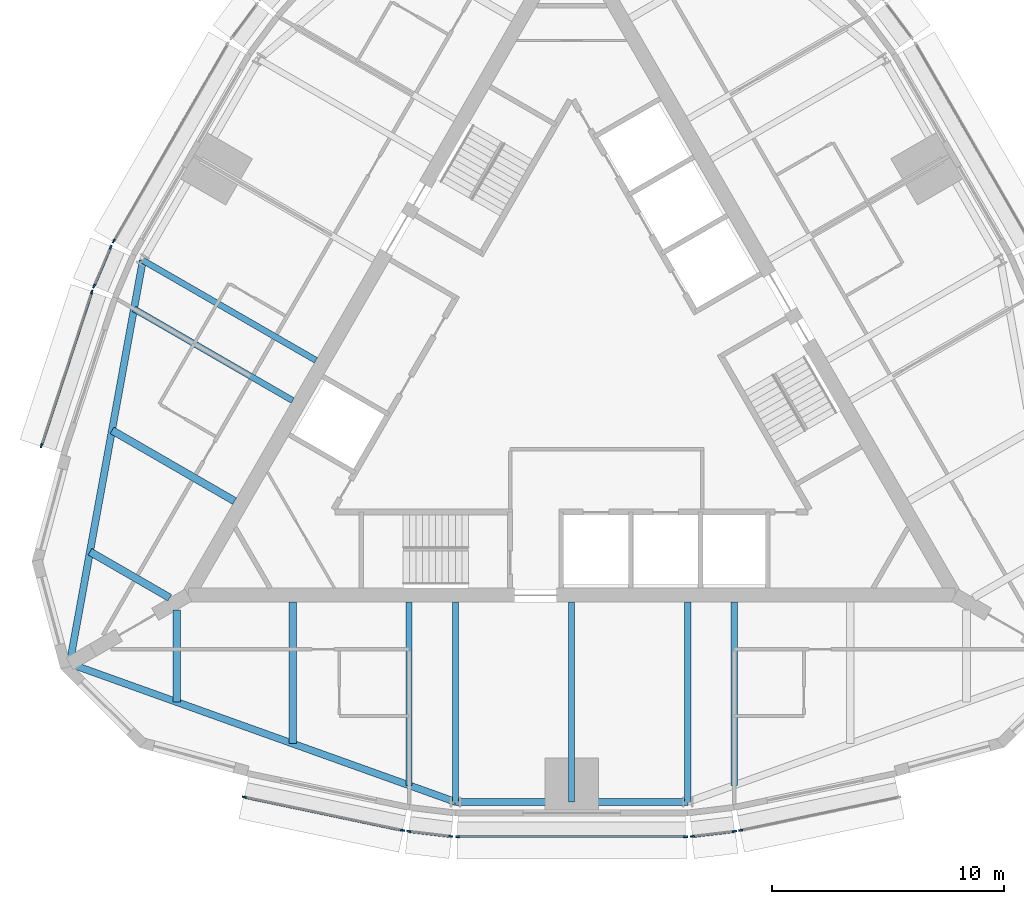
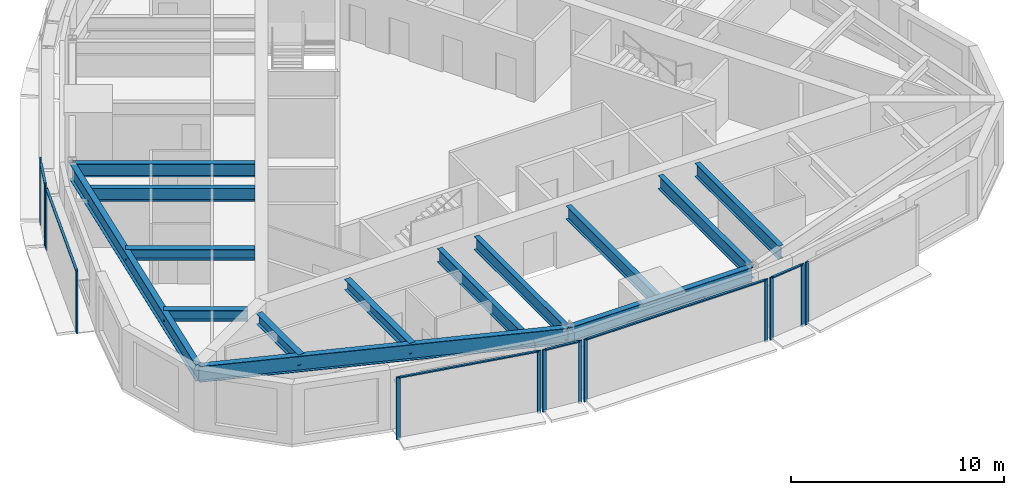
# One storey, part 2 of 12: 20 members, 14 beams, 8 elements without a shape of their own.
"""IFC4 building model written with IfcOpenShell, lengths in metres."""

from ifc_helpers import new_model, si_unit, direction, frame, origin, origin_2d, place, context, subcontext, project, spatial, rectangle, i_section, extrude, material, material_profile, profile_set, type_object, element, aggregate, save


model = new_model("IFC4")

# Units and contexts
model_context = context("Model", 3, precision=1e-05, world=origin(), true_north=direction((0.0, 1.0)))
body_context = subcontext(model_context, "Body", "Model", "MODEL_VIEW")
ifc_project = project(units=[si_unit("LENGTHUNIT", "METRE"), si_unit("AREAUNIT", "SQUARE_METRE"), si_unit("VOLUMEUNIT", "CUBIC_METRE"), si_unit("PLANEANGLEUNIT", "RADIAN"), si_unit("MASSUNIT", "GRAM", prefix="KILO")], contexts=[model_context])

# Site, building, storey
site_placement = place(None, origin())
site = spatial("IfcSite", under=ifc_project, at=site_placement, CompositionType="ELEMENT")
building_placement = place(site_placement, origin())
building = spatial("IfcBuilding", under=site, at=building_placement, Name="Trikona Tower", CompositionType="ELEMENT")
storey_placement = place(building_placement, frame((0.0, 0.0, 257.300048828125)))
storey = spatial("IfcBuildingStorey", under=building, at=storey_placement, Name="L68", CompositionType="ELEMENT", Elevation=257.300048828125)

# Curtain wall, members
ifc_material_1 = material(Name="Aluminium curtain wall system", Category="aluminium")
curtain_wall_type = type_object("IfcCurtainWallType", Name="Curtain wall DS3", PredefinedType="NOTDEFINED", material=ifc_material_1)
curtain_wall_1_placement = place(storey_placement, origin())
curtain_wall_1 = element("IfcCurtainWall", 1, at=curtain_wall_1_placement, inside=storey, type_object=curtain_wall_type, Name="Curtain wall DS3 L68", PredefinedType="NOTDEFINED")
ifc_material_2 = material(Name="Aluminium mullion, pale anodised", Category="aluminium")
ifc_material_profile_1 = material_profile(ifc_material_2, rectangle(XDim=0.070068359375, YDim=0.179931640625, at=origin_2d()), Name="MUL-DS3")
ifc_profile_set_1 = profile_set([ifc_material_profile_1], Name="Aluminium mullion, pale anodised")
member_type_1 = type_object("IfcMemberType", Name="Mullion DS3 70x180", PredefinedType="MULLION", material=ifc_profile_set_1)
member_1_placement = place(storey_placement, frame((-14.092041015625, -18.220703125, 0.0), z_axis=(0.0, 0.0, 1.0), x_axis=(0.205527448396, 0.978651351583, 0.0)))
member_1 = element("IfcMember", 2, at=member_1_placement, type_object=member_type_1, Name="CW-DS3 mullion 1", PredefinedType="MULLION", context=body_context, shape_type="SweptSolid", body=[
    extrude(rectangle(XDim=0.070068359375, YDim=0.179931640625, at=origin_2d()), origin(), (0.0, 0.0, 1.0), 3.599853515625),
])
member_2_placement = place(storey_placement, frame((-7.27783203125, -19.65185546875, 0.0), z_axis=(0.0, 0.0, 1.0), x_axis=(0.205527448396, 0.978651351583, 0.0)))
member_2 = element("IfcMember", 3, at=member_2_placement, type_object=member_type_1, Name="CW-DS3 mullion 2", PredefinedType="MULLION", context=body_context, shape_type="SweptSolid", body=[
    extrude(rectangle(XDim=0.070068359375, YDim=0.179931640625, at=origin_2d()), origin(), (0.0, 0.0, 1.0), 3.599853515625),
])

curtain_wall_2_placement = place(storey_placement, origin())
curtain_wall_2 = element("IfcCurtainWall", 4, at=curtain_wall_2_placement, inside=storey, type_object=curtain_wall_type, Name="Curtain wall DS3 L68", PredefinedType="NOTDEFINED")
member_3_placement = place(storey_placement, frame((-7.012939453125, -19.6953125, 0.0), z_axis=(0.0, 0.0, 1.0), x_axis=(0.119141057581, 0.992877338043, 0.0)))
member_3 = element("IfcMember", 5, at=member_3_placement, type_object=member_type_1, Name="CW-DS3 mullion 1", PredefinedType="MULLION", context=body_context, shape_type="SweptSolid", body=[
    extrude(rectangle(XDim=0.070068359375, YDim=0.179931640625, at=origin_2d()), origin(), (0.0, 0.0, 1.0), 3.599853515625),
])
member_4_placement = place(storey_placement, frame((-5.20166015625, -19.912841796875, 0.0), z_axis=(0.0, 0.0, 1.0), x_axis=(0.119141057581, 0.992877338043, 0.0)))
member_4 = element("IfcMember", 6, at=member_4_placement, type_object=member_type_1, Name="CW-DS3 mullion 2", PredefinedType="MULLION", context=body_context, shape_type="SweptSolid", body=[
    extrude(rectangle(XDim=0.070068359375, YDim=0.179931640625, at=origin_2d()), origin(), (0.0, 0.0, 1.0), 3.599853515625),
])

curtain_wall_3_placement = place(storey_placement, origin())
curtain_wall_3 = element("IfcCurtainWall", 7, at=curtain_wall_3_placement, inside=storey, type_object=curtain_wall_type, Name="Curtain wall DS3 L68", PredefinedType="NOTDEFINED")
member_5_placement = place(storey_placement, frame((-4.905029296875, -19.930419921875, 0.0), z_axis=(0.0, 0.0, 1.0), x_axis=(0.0, 1.0, 0.0)))
member_5 = element("IfcMember", 8, at=member_5_placement, type_object=member_type_1, Name="CW-DS3 mullion 1", PredefinedType="MULLION", context=body_context, shape_type="SweptSolid", body=[
    extrude(rectangle(XDim=0.070068359375, YDim=0.179931640625, at=origin_2d()), origin(), (0.0, 0.0, 1.0), 3.599853515625),
])
member_6_placement = place(storey_placement, frame((4.905029296875, -19.930419921875, 0.0), z_axis=(0.0, 0.0, 1.0), x_axis=(0.0, 1.0, 0.0)))
member_6 = element("IfcMember", 9, at=member_6_placement, type_object=member_type_1, Name="CW-DS3 mullion 2", PredefinedType="MULLION", context=body_context, shape_type="SweptSolid", body=[
    extrude(rectangle(XDim=0.070068359375, YDim=0.179931640625, at=origin_2d()), origin(), (0.0, 0.0, 1.0), 3.599853515625),
])

curtain_wall_4_placement = place(storey_placement, origin())
curtain_wall_4 = element("IfcCurtainWall", 10, at=curtain_wall_4_placement, inside=storey, type_object=curtain_wall_type, Name="Curtain wall DS3 L68", PredefinedType="NOTDEFINED")
member_7_placement = place(storey_placement, frame((5.20166015625, -19.912841796875, 0.0), z_axis=(0.0, 0.0, 1.0), x_axis=(-0.119141057581, 0.992877338043, 0.0)))
member_7 = element("IfcMember", 11, at=member_7_placement, type_object=member_type_1, Name="CW-DS3 mullion 1", PredefinedType="MULLION", context=body_context, shape_type="SweptSolid", body=[
    extrude(rectangle(XDim=0.070068359375, YDim=0.179931640625, at=origin_2d()), origin(), (0.0, 0.0, 1.0), 3.599853515625),
])
member_8_placement = place(storey_placement, frame((7.012939453125, -19.6953125, 0.0), z_axis=(0.0, 0.0, 1.0), x_axis=(-0.119141057581, 0.992877338043, 0.0)))
member_8 = element("IfcMember", 12, at=member_8_placement, type_object=member_type_1, Name="CW-DS3 mullion 2", PredefinedType="MULLION", context=body_context, shape_type="SweptSolid", body=[
    extrude(rectangle(XDim=0.070068359375, YDim=0.179931640625, at=origin_2d()), origin(), (0.0, 0.0, 1.0), 3.599853515625),
])

# Curtain wall, member
curtain_wall_5_placement = place(storey_placement, origin())
curtain_wall_5 = element("IfcCurtainWall", 13, at=curtain_wall_5_placement, inside=storey, type_object=curtain_wall_type, Name="Curtain wall DS3 L68", PredefinedType="NOTDEFINED")
member_9_placement = place(storey_placement, frame((7.27783203125, -19.65185546875, 0.0), z_axis=(0.0, 0.0, 1.0), x_axis=(-0.205527448396, 0.978651351583, 0.0)))
member_9 = element("IfcMember", 14, at=member_9_placement, type_object=member_type_1, Name="CW-DS3 mullion 1", PredefinedType="MULLION", context=body_context, shape_type="SweptSolid", body=[
    extrude(rectangle(XDim=0.070068359375, YDim=0.179931640625, at=origin_2d()), origin(), (0.0, 0.0, 1.0), 3.599853515625),
])
aggregate(curtain_wall_5, [member_9])

curtain_wall_6_placement = place(storey_placement, origin())
curtain_wall_6 = element("IfcCurtainWall", 15, at=curtain_wall_6_placement, inside=storey, type_object=curtain_wall_type, Name="Curtain wall DS3 L68", PredefinedType="NOTDEFINED")
member_10_placement = place(storey_placement, frame((-19.712890625, 5.717529296875, 0.0), z_axis=(0.0, 0.0, 1.0), x_axis=(0.866024619633, -0.500001358187, 0.0)))
member_10 = element("IfcMember", 16, at=member_10_placement, type_object=member_type_1, Name="CW-DS3 mullion 2", PredefinedType="MULLION", context=body_context, shape_type="SweptSolid", body=[
    extrude(rectangle(XDim=0.070068359375, YDim=0.179931640625, at=origin_2d()), origin(), (0.0, 0.0, 1.0), 3.599853515625),
])
aggregate(curtain_wall_6, [member_10])

# Curtain wall, members
curtain_wall_7_placement = place(storey_placement, origin())
curtain_wall_7 = element("IfcCurtainWall", 17, at=curtain_wall_7_placement, inside=storey, type_object=curtain_wall_type, Name="Curtain wall DS3 L68", PredefinedType="NOTDEFINED")
member_11_placement = place(storey_placement, frame((-19.845703125, 5.45166015625, 0.0), z_axis=(0.0, 0.0, 1.0), x_axis=(0.919420580163, -0.393275726143, 0.0)))
member_11 = element("IfcMember", 18, at=member_11_placement, type_object=member_type_1, Name="CW-DS3 mullion 1", PredefinedType="MULLION", context=body_context, shape_type="SweptSolid", body=[
    extrude(rectangle(XDim=0.070068359375, YDim=0.179931640625, at=origin_2d()), origin(), (0.0, 0.0, 1.0), 3.599853515625),
])
member_12_placement = place(storey_placement, frame((-20.563232421875, 3.7744140625, 0.0), z_axis=(0.0, 0.0, 1.0), x_axis=(0.919420580163, -0.393275726143, 0.0)))
member_12 = element("IfcMember", 19, at=member_12_placement, type_object=member_type_1, Name="CW-DS3 mullion 2", PredefinedType="MULLION", context=body_context, shape_type="SweptSolid", body=[
    extrude(rectangle(XDim=0.070068359375, YDim=0.179931640625, at=origin_2d()), origin(), (0.0, 0.0, 1.0), 3.599853515625),
])

curtain_wall_8_placement = place(storey_placement, origin())
curtain_wall_8 = element("IfcCurtainWall", 20, at=curtain_wall_8_placement, inside=storey, type_object=curtain_wall_type, Name="Curtain wall DS3 L68", PredefinedType="NOTDEFINED")
member_13_placement = place(storey_placement, frame((-20.657958984375, 3.52294921875, 0.0), z_axis=(0.0, 0.0, 1.0), x_axis=(0.95029742275, -0.311343553515, 0.0)))
member_13 = element("IfcMember", 21, at=member_13_placement, type_object=member_type_1, Name="CW-DS3 mullion 1", PredefinedType="MULLION", context=body_context, shape_type="SweptSolid", body=[
    extrude(rectangle(XDim=0.070068359375, YDim=0.179931640625, at=origin_2d()), origin(), (0.0, 0.0, 1.0), 3.599853515625),
])
member_14_placement = place(storey_placement, frame((-22.82568359375, -3.09375, 0.0), z_axis=(0.0, 0.0, 1.0), x_axis=(0.95029742275, -0.311343553515, 0.0)))
member_14 = element("IfcMember", 22, at=member_14_placement, type_object=member_type_1, Name="CW-DS3 mullion 2", PredefinedType="MULLION", context=body_context, shape_type="SweptSolid", body=[
    extrude(rectangle(XDim=0.070068359375, YDim=0.179931640625, at=origin_2d()), origin(), (0.0, 0.0, 1.0), 3.599853515625),
])

# Beams
ifc_material_3 = material(Name="Steel ASTM A992 Grade 50", Category="steel")
ifc_material_profile_2 = material_profile(ifc_material_3, i_section(OverallWidth=0.3251953125, OverallDepth=0.612060546875, WebThickness=0.0126953125, FlangeThickness=0.01904296875, at=origin_2d()), Name="W24X104")
ifc_profile_set_2 = profile_set([ifc_material_profile_2], Name="Steel ASTM A992 Grade 50")
beam_type_1 = type_object("IfcBeamType", Name="Steel beam W24x104 (wedge upper)", PredefinedType="BEAM", material=ifc_profile_set_2)
beam_1_placement = place(storey_placement, frame((-17.0, -10.161376953125, 3.12890625), z_axis=(0.0, -1.0, 0.0), x_axis=(1.0, 0.0, 0.0)))
element("IfcBeam", 23, at=beam_1_placement, inside=storey, type_object=beam_type_1, Name="Floor beam L69 F1 u-17", PredefinedType="BEAM", context=body_context, shape_type="SweptSolid", body=[
    extrude(i_section(OverallWidth=0.3251953125, OverallDepth=0.612060546875, WebThickness=0.0126953125, FlangeThickness=0.01904296875, at=origin_2d()), origin(), (0.0, 0.0, 1.0), 3.9677734375),
])
beam_2_placement = place(storey_placement, frame((-12.0, -9.826416015625, 3.12890625), z_axis=(0.0, -1.0, 0.0), x_axis=(1.0, 0.0, 0.0)))
element("IfcBeam", 24, at=beam_2_placement, inside=storey, type_object=beam_type_1, Name="Floor beam L69 F1 u-12", PredefinedType="BEAM", context=body_context, shape_type="SweptSolid", body=[
    extrude(i_section(OverallWidth=0.3251953125, OverallDepth=0.612060546875, WebThickness=0.0126953125, FlangeThickness=0.01904296875, at=origin_2d()), origin(), (0.0, 0.0, 1.0), 6.094970703125),
])
beam_3_placement = place(storey_placement, frame((-14.509765625, -5.479248046875, 3.12890625), z_axis=(-0.866023498866, 0.500003299401, 0.0), x_axis=(-0.500003299401, -0.866023498866, 0.0)))
element("IfcBeam", 25, at=beam_3_placement, inside=storey, type_object=beam_type_1, Name="Floor beam L69 F3 u12", PredefinedType="BEAM", context=body_context, shape_type="SweptSolid", body=[
    extrude(i_section(OverallWidth=0.3251953125, OverallDepth=0.612060546875, WebThickness=0.0126953125, FlangeThickness=0.01904296875, at=origin_2d()), origin(), (0.0, 0.0, 1.0), 6.09521484375),
])
beam_4_placement = place(storey_placement, frame((-17.300048828125, -9.6416015625, 3.12890625), z_axis=(-0.866030866614, 0.499990537983, 0.0), x_axis=(-0.499990537983, -0.866030866614, 0.0)))
element("IfcBeam", 26, at=beam_4_placement, inside=storey, type_object=beam_type_1, Name="Floor beam L69 F3 u17", PredefinedType="BEAM", context=body_context, shape_type="SweptSolid", body=[
    extrude(i_section(OverallWidth=0.3251953125, OverallDepth=0.612060546875, WebThickness=0.0126953125, FlangeThickness=0.01904296875, at=origin_2d()), origin(), (0.0, 0.0, 1.0), 3.9677734375),
])
ifc_material_4 = material(Name="Steel ASTM A992 Grade 50", Category="steel")
ifc_material_profile_3 = material_profile(ifc_material_4, i_section(OverallWidth=0.2666015625, OverallDepth=0.7568359375, WebThickness=0.013916015625, FlangeThickness=0.019287109375, at=origin_2d()), Name="W30X108")
ifc_profile_set_3 = profile_set([ifc_material_profile_3], Name="Steel ASTM A992 Grade 50")
beam_type_2 = type_object("IfcBeamType", Name="Steel beam W30x108 (radial upper)", PredefinedType="BEAM", material=ifc_profile_set_3)
beam_5_placement = place(storey_placement, frame((-7.0, -9.826416015625, 3.056396484375), z_axis=(0.0, -1.0, 0.0), x_axis=(1.0, 0.0, 0.0)))
element("IfcBeam", 27, at=beam_5_placement, inside=storey, type_object=beam_type_2, Name="Floor beam L69 F1 u-7", PredefinedType="BEAM", context=body_context, shape_type="SweptSolid", body=[
    extrude(i_section(OverallWidth=0.2666015625, OverallDepth=0.7568359375, WebThickness=0.013916015625, FlangeThickness=0.019287109375, at=origin_2d()), origin(), (0.0, 0.0, 1.0), 7.88720703125),
])
for number, where, z_axis, x_axis, name in (
    (28, (-5.0, -9.826416015625, 3.056396484375), (0.0, -1.0, 0.0), (1.0, 0.0, 0.0), "Floor beam L69 F1 u-5"),
    (29, (0.0, -9.826416015625, 3.056396484375), (0.0, -1.0, 0.0), (1.0, 0.0, 0.0), "Floor beam L69 F1 u0"),
    (30, (5.0, -9.826416015625, 3.056396484375), (0.0, -1.0, 0.0), (1.0, 0.0, 0.0), "Floor beam L69 F1 u5"),
):
    element("IfcBeam", number, at=place(storey_placement, frame(where, z_axis=z_axis, x_axis=x_axis)), inside=storey, type_object=beam_type_2, Name=name, PredefinedType="BEAM", context=body_context, shape_type="SweptSolid", body=[
        extrude(i_section(OverallWidth=0.2666015625, OverallDepth=0.7568359375, WebThickness=0.013916015625, FlangeThickness=0.019287109375, at=origin_2d()), origin(), (0.0, 0.0, 1.0), 8.60400390625),
    ])
beam_6_placement = place(storey_placement, frame((7.0, -9.826416015625, 3.056396484375), z_axis=(0.0, -1.0, 0.0), x_axis=(1.0, 0.0, 0.0)))
element("IfcBeam", 31, at=beam_6_placement, inside=storey, type_object=beam_type_2, Name="Floor beam L69 F1 u7", PredefinedType="BEAM", context=body_context, shape_type="SweptSolid", body=[
    extrude(i_section(OverallWidth=0.2666015625, OverallDepth=0.7568359375, WebThickness=0.013916015625, FlangeThickness=0.019287109375, at=origin_2d()), origin(), (0.0, 0.0, 1.0), 7.88720703125),
])
beam_7_placement = place(storey_placement, frame((-11.009765625, 0.5830078125, 3.056396484375), z_axis=(-0.866029182723, 0.49999345463, 0.0), x_axis=(-0.49999345463, -0.866029182723, 0.0)))
element("IfcBeam", 32, at=beam_7_placement, inside=storey, type_object=beam_type_2, Name="Floor beam L69 F3 u5", PredefinedType="BEAM", context=body_context, shape_type="SweptSolid", body=[
    extrude(i_section(OverallWidth=0.2666015625, OverallDepth=0.7568359375, WebThickness=0.013916015625, FlangeThickness=0.019287109375, at=origin_2d()), origin(), (0.0, 0.0, 1.0), 8.60400390625),
])
beam_8_placement = place(storey_placement, frame((-12.009765625, -1.14892578125, 3.056396484375), z_axis=(-0.866034560358, 0.499984140014, 0.0), x_axis=(-0.499984140014, -0.866034560358, 0.0)))
element("IfcBeam", 33, at=beam_8_placement, inside=storey, type_object=beam_type_2, Name="Floor beam L69 F3 u7", PredefinedType="BEAM", context=body_context, shape_type="SweptSolid", body=[
    extrude(i_section(OverallWidth=0.2666015625, OverallDepth=0.7568359375, WebThickness=0.013916015625, FlangeThickness=0.019287109375, at=origin_2d()), origin(), (0.0, 0.0, 1.0), 7.887451171875),
])
ifc_material_5 = material(Name="Steel ASTM A992 Grade 50", Category="steel")
ifc_material_profile_4 = material_profile(ifc_material_5, i_section(OverallWidth=0.3046875, OverallDepth=0.911865234375, WebThickness=0.015869140625, FlangeThickness=0.02392578125, at=origin_2d()), Name="W36X150")
ifc_profile_set_4 = profile_set([ifc_material_profile_4], Name="Steel ASTM A992 Grade 50")
beam_type_3 = type_object("IfcBeamType", Name="Steel beam W36x150 (spandrel upper)", PredefinedType="SPANDREL", material=ifc_profile_set_4)
beam_9_placement = place(storey_placement, frame((-21.6103515625, -12.476806640625, 2.97900390625), z_axis=(0.941358144832, -0.337409014637, 0.0), x_axis=(0.337409014637, 0.941358144832, 0.0)))
element("IfcBeam", 34, at=beam_9_placement, inside=storey, type_object=beam_type_3, Name="Spandrel beam L69 F1-1", PredefinedType="SPANDREL", context=body_context, shape_type="SweptSolid", body=[
    extrude(i_section(OverallWidth=0.3046875, OverallDepth=0.911865234375, WebThickness=0.015869140625, FlangeThickness=0.02392578125, at=origin_2d()), origin(), (0.0, 0.0, 1.0), 17.64501953125),
])
beam_10_placement = place(storey_placement, frame((-5.0, -18.430419921875, 2.97900390625), z_axis=(1.0, 0.0, 0.0), x_axis=(0.0, 1.0, 0.0)))
element("IfcBeam", 35, at=beam_10_placement, inside=storey, type_object=beam_type_3, Name="Spandrel beam L69 F1-2", PredefinedType="SPANDREL", context=body_context, shape_type="SweptSolid", body=[
    extrude(i_section(OverallWidth=0.3046875, OverallDepth=0.911865234375, WebThickness=0.015869140625, FlangeThickness=0.02392578125, at=origin_2d()), origin(), (0.0, 0.0, 1.0), 10.0),
])
beam_11_placement = place(storey_placement, frame((-18.461181640625, 4.885009765625, 2.97900390625), z_axis=(-0.178472662054, -0.983944870864, 0.0), x_axis=(0.983944870864, -0.178472662054, 0.0)))
element("IfcBeam", 36, at=beam_11_placement, inside=storey, type_object=beam_type_3, Name="Spandrel beam L69 F3-3", PredefinedType="SPANDREL", context=body_context, shape_type="SweptSolid", body=[
    extrude(i_section(OverallWidth=0.3046875, OverallDepth=0.911865234375, WebThickness=0.015869140625, FlangeThickness=0.02392578125, at=origin_2d()), origin(), (0.0, 0.0, 1.0), 17.64501953125),
])

# Member
ifc_material_6 = material(Name="Aluminium transom, pale anodised", Category="aluminium")
ifc_material_profile_5 = material_profile(ifc_material_6, rectangle(XDim=0.1201171875, YDim=0.070068359375, at=origin_2d()), Name="TRN-DS3")
ifc_profile_set_5 = profile_set([ifc_material_profile_5], Name="Aluminium transom, pale anodised")
member_type_2 = type_object("IfcMemberType", Name="Transom DS3 70x120", PredefinedType="USERDEFINED", material=ifc_profile_set_5)
member_15_placement = place(storey_placement, frame((-14.0576171875, -18.22802734375, 3.56494140625), z_axis=(0.978654137783, -0.205514181021, 0.0), x_axis=(0.205514181021, 0.978654137783, 0.0)))
member_15 = element("IfcMember", 37, at=member_15_placement, type_object=member_type_2, Name="CW-DS3 transom 1.1", ObjectType="TRANSOM", PredefinedType="USERDEFINED", context=body_context, shape_type="SweptSolid", body=[
    extrude(rectangle(XDim=0.1201171875, YDim=0.070068359375, at=origin_2d()), origin(), (0.0, 0.0, 1.0), 6.892578125),
])

aggregate(curtain_wall_1, [member_1, member_2, member_15])

member_16_placement = place(storey_placement, frame((-6.978271484375, -19.699462890625, 3.56494140625), z_axis=(0.992880130449, -0.119117784396, 0.0), x_axis=(0.119117784396, 0.992880130449, 0.0)))
member_16 = element("IfcMember", 38, at=member_16_placement, type_object=member_type_2, Name="CW-DS3 transom 1.1", ObjectType="TRANSOM", PredefinedType="USERDEFINED", context=body_context, shape_type="SweptSolid", body=[
    extrude(rectangle(XDim=0.1201171875, YDim=0.070068359375, at=origin_2d()), origin(), (0.0, 0.0, 1.0), 1.75439453125),
])

aggregate(curtain_wall_2, [member_3, member_4, member_16])

member_17_placement = place(storey_placement, frame((-4.8701171875, -19.930419921875, 3.56494140625), z_axis=(1.0, 0.0, 0.0), x_axis=(0.0, 1.0, 0.0)))
member_17 = element("IfcMember", 39, at=member_17_placement, type_object=member_type_2, Name="CW-DS3 transom 1.1", ObjectType="TRANSOM", PredefinedType="USERDEFINED", context=body_context, shape_type="SweptSolid", body=[
    extrude(rectangle(XDim=0.1201171875, YDim=0.070068359375, at=origin_2d()), origin(), (0.0, 0.0, 1.0), 9.740234375),
])

aggregate(curtain_wall_3, [member_5, member_6, member_17])

member_18_placement = place(storey_placement, frame((5.236328125, -19.908447265625, 3.56494140625), z_axis=(0.992880130449, 0.119117784396, 0.0), x_axis=(-0.119117784396, 0.992880130449, 0.0)))
member_18 = element("IfcMember", 40, at=member_18_placement, type_object=member_type_2, Name="CW-DS3 transom 1.1", ObjectType="TRANSOM", PredefinedType="USERDEFINED", context=body_context, shape_type="SweptSolid", body=[
    extrude(rectangle(XDim=0.1201171875, YDim=0.070068359375, at=origin_2d()), origin(), (0.0, 0.0, 1.0), 1.75439453125),
])

aggregate(curtain_wall_4, [member_7, member_8, member_18])

member_19_placement = place(storey_placement, frame((-19.859619140625, 5.41943359375, 3.56494140625), z_axis=(-0.393314512783, -0.919403988481, 0.0), x_axis=(0.919403988481, -0.393314512783, 0.0)))
member_19 = element("IfcMember", 41, at=member_19_placement, type_object=member_type_2, Name="CW-DS3 transom 1.1", ObjectType="TRANSOM", PredefinedType="USERDEFINED", context=body_context, shape_type="SweptSolid", body=[
    extrude(rectangle(XDim=0.1201171875, YDim=0.070068359375, at=origin_2d()), origin(), (0.0, 0.0, 1.0), 1.754150390625),
])

aggregate(curtain_wall_7, [member_11, member_12, member_19])

member_20_placement = place(storey_placement, frame((-20.668701171875, 3.48974609375, 3.56494140625), z_axis=(-0.311346184, -0.950296560926, 0.0), x_axis=(0.950296560926, -0.311346184, 0.0)))
member_20 = element("IfcMember", 42, at=member_20_placement, type_object=member_type_2, Name="CW-DS3 transom 1.1", ObjectType="TRANSOM", PredefinedType="USERDEFINED", context=body_context, shape_type="SweptSolid", body=[
    extrude(rectangle(XDim=0.1201171875, YDim=0.070068359375, at=origin_2d()), origin(), (0.0, 0.0, 1.0), 6.892578125),
])

aggregate(curtain_wall_8, [member_13, member_14, member_20])

save(model, "model.ifc")
